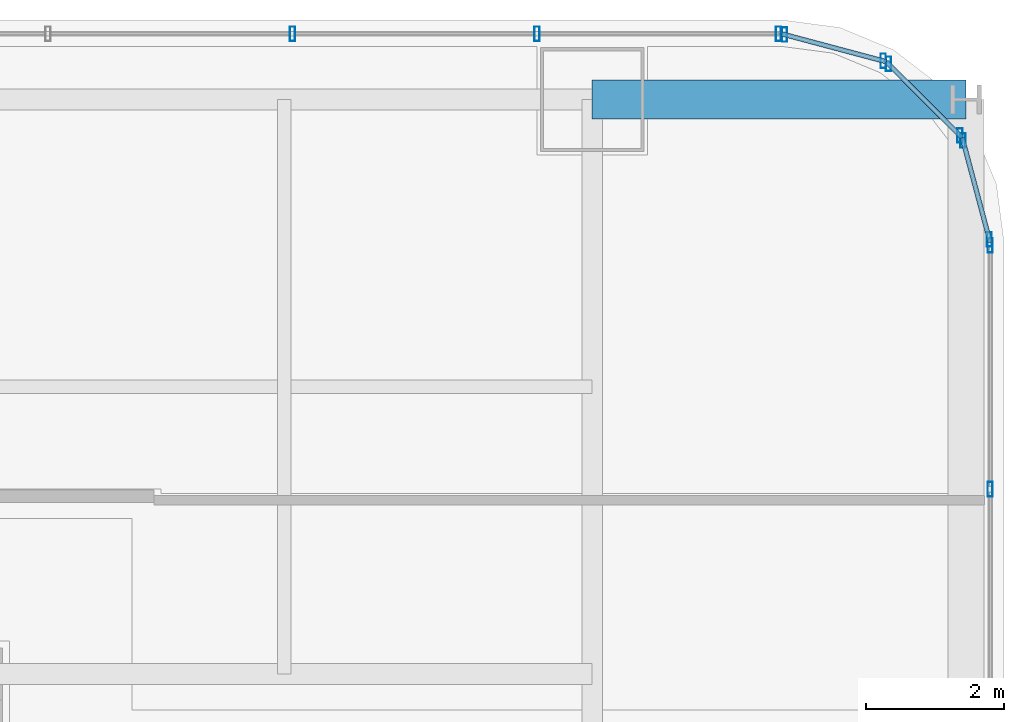
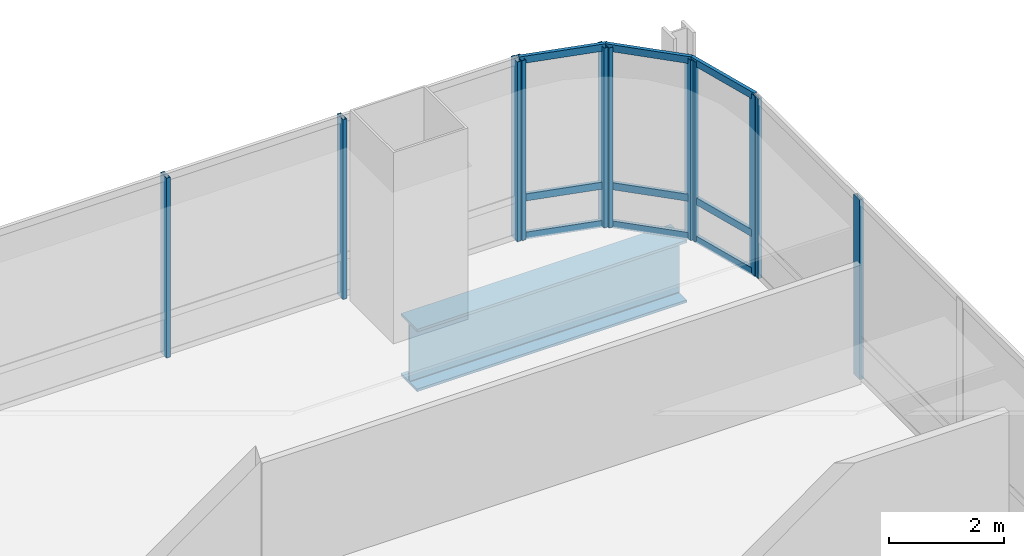
# One storey, part 24 of 35: 20 members, 1 beam, 5 elements without a shape of their own.
"""IFC4 building model written with IfcOpenShell, lengths in metres."""

from ifc_helpers import new_model, si_unit, direction, frame, origin, origin_2d, place, context, subcontext, project, spatial, hollow_rectangle, i_section, extrude, material, material_profile, profile_set, type_object, element, aggregate, save


model = new_model("IFC4")

# Units and contexts
model_context = context("Model", 3, precision=1e-05, world=origin(), true_north=direction((0.0, 1.0)))
body_context = subcontext(model_context, "Body", "Model", "MODEL_VIEW")
ifc_project = project(units=[si_unit("LENGTHUNIT", "METRE"), si_unit("AREAUNIT", "SQUARE_METRE"), si_unit("VOLUMEUNIT", "CUBIC_METRE"), si_unit("PLANEANGLEUNIT", "RADIAN"), si_unit("MASSUNIT", "GRAM", prefix="KILO")], contexts=[model_context])

# Site, building, storey
site_placement = place(None, origin())
site = spatial("IfcSite", under=ifc_project, at=site_placement, CompositionType="ELEMENT")
building_placement = place(site_placement, origin())
building = spatial("IfcBuilding", under=site, at=building_placement, Name="Punatoya Terracotta Tower", CompositionType="ELEMENT")
storey_placement = place(building_placement, frame((0.0, 0.0, 72.75)))
storey = spatial("IfcBuildingStorey", under=building, at=storey_placement, Name="L16", CompositionType="ELEMENT", Elevation=72.75)

# Beam
ifc_material_1 = material(Name="Steel S460", Category="steel")
ifc_material_profile_1 = material_profile(ifc_material_1, i_section(OverallWidth=0.56005859375, OverallDepth=1.320068359375, WebThickness=0.035888671875, FlangeThickness=0.054931640625, FilletRadius=0.01806640625, at=origin_2d()))
ifc_profile_set_1 = profile_set([ifc_material_profile_1], Name="Steel S460")
beam_type = type_object("IfcBeamType", Name="BM-TG-BLK", PredefinedType="BEAM", material=ifc_profile_set_1)
beam_placement = place(storey_placement, frame((19.10009765625, 17.5, -0.89990234375), z_axis=(1.0, 0.0, 0.0), x_axis=(0.0, 1.0, 0.0)))
element("IfcBeam", 1, at=beam_placement, inside=storey, type_object=beam_type, Name="BM-L16-CANT-E4", PredefinedType="BEAM", context=body_context, shape_type="SweptSolid", body=[
    extrude(i_section(OverallWidth=0.56005859375, OverallDepth=1.320068359375, WebThickness=0.035888671875, FlangeThickness=0.054931640625, FilletRadius=0.01806640625, at=origin_2d()), origin(), (0.0, 0.0, 1.0), 5.39990234375),
])

# Curtain wall, members
ifc_material_2 = material(Name="Aluminium 6063-T6 + Double Low-E Glass", Category="aluminium")
curtain_wall_type = type_object("IfcCurtainWallType", Name="CW-M1", PredefinedType="NOTDEFINED", material=ifc_material_2)
curtain_wall_1_placement = place(storey_placement, origin())
curtain_wall_1 = element("IfcCurtainWall", 2, at=curtain_wall_1_placement, inside=storey, type_object=curtain_wall_type, Name="L16 Curtain Wall CW-L16-E05-1", PredefinedType="NOTDEFINED")
ifc_material_3 = material(Name="Aluminium 6063-T6", Category="aluminium")
ifc_material_profile_2 = material_profile(ifc_material_3, hollow_rectangle(XDim=0.074951171875, YDim=0.2099609375, WallThickness=0.00439453125, at=origin_2d()))
ifc_profile_set_2 = profile_set([ifc_material_profile_2], Name="Aluminium 6063-T6")
member_type_1 = type_object("IfcMemberType", Name="CW-MUL-M1", PredefinedType="MULLION", material=ifc_profile_set_2)
member_1_placement = place(storey_placement, frame((24.85009765625, 11.869384765625, 0.0), z_axis=(0.0, 0.0, 1.0), x_axis=(1.0, 0.0, 0.0)))
member_1 = element("IfcMember", 3, at=member_1_placement, type_object=member_type_1, Name="CW-L16-E05-1 Mullion 09", PredefinedType="MULLION", context=body_context, shape_type="SweptSolid", body=[
    extrude(hollow_rectangle(XDim=0.074951171875, YDim=0.2099609375, WallThickness=0.00439453125, at=origin_2d()), origin(), (0.0, 0.0, 1.0), 3.81005859375),
])
member_2_placement = place(storey_placement, frame((24.85009765625, 15.391845703125, 0.0), z_axis=(0.0, 0.0, 1.0), x_axis=(1.0, 0.0, 0.0)))
member_2 = element("IfcMember", 4, at=member_2_placement, type_object=member_type_1, Name="CW-L16-E05-1 Mullion 10", PredefinedType="MULLION", context=body_context, shape_type="SweptSolid", body=[
    extrude(hollow_rectangle(XDim=0.074951171875, YDim=0.2099609375, WallThickness=0.00439453125, at=origin_2d()), origin(), (0.0, 0.0, 1.0), 3.81005859375),
])
aggregate(curtain_wall_1, [member_1, member_2])

curtain_wall_2_placement = place(storey_placement, origin())
curtain_wall_2 = element("IfcCurtainWall", 5, at=curtain_wall_2_placement, inside=storey, type_object=curtain_wall_type, Name="L16 Curtain Wall CW-L16-CRN06", PredefinedType="NOTDEFINED")
member_3_placement = place(storey_placement, frame((24.83837890625, 15.48046875, 0.0), z_axis=(0.0, 0.0, 1.0), x_axis=(1.0, 0.0, 0.0)))
member_3 = element("IfcMember", 6, at=member_3_placement, type_object=member_type_1, Name="CW-L16-CRN06 Mullion 00", PredefinedType="MULLION", context=body_context, shape_type="SweptSolid", body=[
    extrude(hollow_rectangle(XDim=0.074951171875, YDim=0.2099609375, WallThickness=0.00439453125, at=origin_2d()), origin(), (0.0, 0.0, 1.0), 3.81005859375),
])
member_4_placement = place(storey_placement, frame((24.458251953125, 16.905517578125, 0.0), z_axis=(0.0, 0.0, 1.0), x_axis=(1.0, 0.0, 0.0)))
member_4 = element("IfcMember", 7, at=member_4_placement, type_object=member_type_1, Name="CW-L16-CRN06 Mullion 01", PredefinedType="MULLION", context=body_context, shape_type="SweptSolid", body=[
    extrude(hollow_rectangle(XDim=0.074951171875, YDim=0.2099609375, WallThickness=0.00439453125, at=origin_2d()), origin(), (0.0, 0.0, 1.0), 3.81005859375),
])

curtain_wall_3_placement = place(storey_placement, origin())
curtain_wall_3 = element("IfcCurtainWall", 8, at=curtain_wall_3_placement, inside=storey, type_object=curtain_wall_type, Name="L16 Curtain Wall CW-L16-CRN07", PredefinedType="NOTDEFINED")
member_5_placement = place(storey_placement, frame((24.414794921875, 16.98095703125, 0.0), z_axis=(0.0, 0.0, 1.0), x_axis=(1.0, 0.0, 0.0)))
member_5 = element("IfcMember", 9, at=member_5_placement, type_object=member_type_1, Name="CW-L16-CRN07 Mullion 00", PredefinedType="MULLION", context=body_context, shape_type="SweptSolid", body=[
    extrude(hollow_rectangle(XDim=0.074951171875, YDim=0.2099609375, WallThickness=0.00439453125, at=origin_2d()), origin(), (0.0, 0.0, 1.0), 3.81005859375),
])
member_6_placement = place(storey_placement, frame((23.380859375, 18.014892578125, 0.0), z_axis=(0.0, 0.0, 1.0), x_axis=(1.0, 0.0, 0.0)))
member_6 = element("IfcMember", 10, at=member_6_placement, type_object=member_type_1, Name="CW-L16-CRN07 Mullion 01", PredefinedType="MULLION", context=body_context, shape_type="SweptSolid", body=[
    extrude(hollow_rectangle(XDim=0.074951171875, YDim=0.2099609375, WallThickness=0.00439453125, at=origin_2d()), origin(), (0.0, 0.0, 1.0), 3.81005859375),
])

curtain_wall_4_placement = place(storey_placement, origin())
curtain_wall_4 = element("IfcCurtainWall", 11, at=curtain_wall_4_placement, inside=storey, type_object=curtain_wall_type, Name="L16 Curtain Wall CW-L16-CRN08", PredefinedType="NOTDEFINED")
member_7_placement = place(storey_placement, frame((23.3056640625, 18.05810546875, 0.0), z_axis=(0.0, 0.0, 1.0), x_axis=(1.0, 0.0, 0.0)))
member_7 = element("IfcMember", 12, at=member_7_placement, type_object=member_type_1, Name="CW-L16-CRN08 Mullion 00", PredefinedType="MULLION", context=body_context, shape_type="SweptSolid", body=[
    extrude(hollow_rectangle(XDim=0.074951171875, YDim=0.2099609375, WallThickness=0.00439453125, at=origin_2d()), origin(), (0.0, 0.0, 1.0), 3.81005859375),
])
member_8_placement = place(storey_placement, frame((21.88037109375, 18.4384765625, 0.0), z_axis=(0.0, 0.0, 1.0), x_axis=(1.0, 0.0, 0.0)))
member_8 = element("IfcMember", 13, at=member_8_placement, type_object=member_type_1, Name="CW-L16-CRN08 Mullion 01", PredefinedType="MULLION", context=body_context, shape_type="SweptSolid", body=[
    extrude(hollow_rectangle(XDim=0.074951171875, YDim=0.2099609375, WallThickness=0.00439453125, at=origin_2d()), origin(), (0.0, 0.0, 1.0), 3.81005859375),
])

curtain_wall_5_placement = place(storey_placement, origin())
curtain_wall_5 = element("IfcCurtainWall", 14, at=curtain_wall_5_placement, inside=storey, type_object=curtain_wall_type, Name="L16 Curtain Wall CW-L16-N09-1", PredefinedType="NOTDEFINED")
member_9_placement = place(storey_placement, frame((21.7919921875, 18.449951171875, 0.0), z_axis=(0.0, 0.0, 1.0), x_axis=(1.0, 0.0, 0.0)))
member_9 = element("IfcMember", 15, at=member_9_placement, type_object=member_type_1, Name="CW-L16-N09-1 Mullion 00", PredefinedType="MULLION", context=body_context, shape_type="SweptSolid", body=[
    extrude(hollow_rectangle(XDim=0.074951171875, YDim=0.2099609375, WallThickness=0.00439453125, at=origin_2d()), origin(), (0.0, 0.0, 1.0), 3.81005859375),
])
member_10_placement = place(storey_placement, frame((18.302978515625, 18.449951171875, 0.0), z_axis=(0.0, 0.0, 1.0), x_axis=(1.0, 0.0, 0.0)))
member_10 = element("IfcMember", 16, at=member_10_placement, type_object=member_type_1, Name="CW-L16-N09-1 Mullion 01", PredefinedType="MULLION", context=body_context, shape_type="SweptSolid", body=[
    extrude(hollow_rectangle(XDim=0.074951171875, YDim=0.2099609375, WallThickness=0.00439453125, at=origin_2d()), origin(), (0.0, 0.0, 1.0), 3.81005859375),
])
member_11_placement = place(storey_placement, frame((14.768798828125, 18.449951171875, 0.0), z_axis=(0.0, 0.0, 1.0), x_axis=(1.0, 0.0, 0.0)))
member_11 = element("IfcMember", 17, at=member_11_placement, type_object=member_type_1, Name="CW-L16-N09-1 Mullion 02", PredefinedType="MULLION", context=body_context, shape_type="SweptSolid", body=[
    extrude(hollow_rectangle(XDim=0.074951171875, YDim=0.2099609375, WallThickness=0.00439453125, at=origin_2d()), origin(), (0.0, 0.0, 1.0), 3.81005859375),
])
aggregate(curtain_wall_5, [member_9, member_10, member_11])

# Member
ifc_material_profile_3 = material_profile(ifc_material_3, hollow_rectangle(XDim=0.068115234375, YDim=0.14990234375, WallThickness=0.00390625, at=origin_2d()))
ifc_profile_set_3 = profile_set([ifc_material_profile_3], Name="Aluminium 6063-T6")
member_type_2 = type_object("IfcMemberType", Name="CW-TRN-TYP", PredefinedType="USERDEFINED", material=ifc_profile_set_3)
member_12_placement = place(storey_placement, frame((24.85009765625, 15.43701171875, 0.0400390625), z_axis=(-0.257847112249, 0.966185730957, 0.0), x_axis=(-0.966185730957, -0.257847112249, 0.0)))
member_12 = element("IfcMember", 18, at=member_12_placement, type_object=member_type_2, Name="CW-L16-CRN06 Transom 1", ObjectType="TRANSOM", PredefinedType="USERDEFINED", context=body_context, shape_type="SweptSolid", body=[
    extrude(hollow_rectangle(XDim=0.068115234375, YDim=0.14990234375, WallThickness=0.00390625, at=origin_2d()), origin(), (0.0, 0.0, 1.0), 1.565185546875),
])

member_13_placement = place(storey_placement, frame((24.85009765625, 15.43701171875, 0.85009765625), z_axis=(-0.257847112249, 0.966185730957, 0.0), x_axis=(-0.966185730957, -0.257847112249, 0.0)))
member_13 = element("IfcMember", 19, at=member_13_placement, type_object=member_type_2, Name="CW-L16-CRN06 Transom 2", ObjectType="TRANSOM", PredefinedType="USERDEFINED", context=body_context, shape_type="SweptSolid", body=[
    extrude(hollow_rectangle(XDim=0.068115234375, YDim=0.14990234375, WallThickness=0.00390625, at=origin_2d()), origin(), (0.0, 0.0, 1.0), 1.565185546875),
])

member_14_placement = place(storey_placement, frame((24.85009765625, 15.43701171875, 3.77001953125), z_axis=(-0.257847112249, 0.966185730957, 0.0), x_axis=(-0.966185730957, -0.257847112249, 0.0)))
member_14 = element("IfcMember", 20, at=member_14_placement, type_object=member_type_2, Name="CW-L16-CRN06 Transom 3", ObjectType="TRANSOM", PredefinedType="USERDEFINED", context=body_context, shape_type="SweptSolid", body=[
    extrude(hollow_rectangle(XDim=0.068115234375, YDim=0.14990234375, WallThickness=0.00390625, at=origin_2d()), origin(), (0.0, 0.0, 1.0), 1.565185546875),
])

aggregate(curtain_wall_2, [member_3, member_4, member_12, member_13, member_14])

member_15_placement = place(storey_placement, frame((24.446533203125, 16.94921875, 0.0400390625), z_axis=(-0.707106781187, 0.707106781187, 0.0), x_axis=(-0.707106781187, -0.707106781187, 0.0)))
member_15 = element("IfcMember", 21, at=member_15_placement, type_object=member_type_2, Name="CW-L16-CRN07 Transom 1", ObjectType="TRANSOM", PredefinedType="USERDEFINED", context=body_context, shape_type="SweptSolid", body=[
    extrude(hollow_rectangle(XDim=0.068115234375, YDim=0.14990234375, WallThickness=0.00390625, at=origin_2d()), origin(), (0.0, 0.0, 1.0), 1.552001953125),
])

member_16_placement = place(storey_placement, frame((24.446533203125, 16.94921875, 0.85009765625), z_axis=(-0.707106781187, 0.707106781187, 0.0), x_axis=(-0.707106781187, -0.707106781187, 0.0)))
member_16 = element("IfcMember", 22, at=member_16_placement, type_object=member_type_2, Name="CW-L16-CRN07 Transom 2", ObjectType="TRANSOM", PredefinedType="USERDEFINED", context=body_context, shape_type="SweptSolid", body=[
    extrude(hollow_rectangle(XDim=0.068115234375, YDim=0.14990234375, WallThickness=0.00390625, at=origin_2d()), origin(), (0.0, 0.0, 1.0), 1.552001953125),
])

member_17_placement = place(storey_placement, frame((24.446533203125, 16.94921875, 3.77001953125), z_axis=(-0.707106781187, 0.707106781187, 0.0), x_axis=(-0.707106781187, -0.707106781187, 0.0)))
member_17 = element("IfcMember", 23, at=member_17_placement, type_object=member_type_2, Name="CW-L16-CRN07 Transom 3", ObjectType="TRANSOM", PredefinedType="USERDEFINED", context=body_context, shape_type="SweptSolid", body=[
    extrude(hollow_rectangle(XDim=0.068115234375, YDim=0.14990234375, WallThickness=0.00390625, at=origin_2d()), origin(), (0.0, 0.0, 1.0), 1.552001953125),
])

aggregate(curtain_wall_3, [member_5, member_6, member_15, member_16, member_17])

member_18_placement = place(storey_placement, frame((23.34912109375, 18.046630859375, 0.0400390625), z_axis=(-0.966224582397, 0.257701486942, 0.0), x_axis=(-0.257701486942, -0.966224582397, 0.0)))
member_18 = element("IfcMember", 24, at=member_18_placement, type_object=member_type_2, Name="CW-L16-CRN08 Transom 1", ObjectType="TRANSOM", PredefinedType="USERDEFINED", context=body_context, shape_type="SweptSolid", body=[
    extrude(hollow_rectangle(XDim=0.068115234375, YDim=0.14990234375, WallThickness=0.00390625, at=origin_2d()), origin(), (0.0, 0.0, 1.0), 1.565185546875),
])

member_19_placement = place(storey_placement, frame((23.34912109375, 18.046630859375, 0.85009765625), z_axis=(-0.966224582397, 0.257701486942, 0.0), x_axis=(-0.257701486942, -0.966224582397, 0.0)))
member_19 = element("IfcMember", 25, at=member_19_placement, type_object=member_type_2, Name="CW-L16-CRN08 Transom 2", ObjectType="TRANSOM", PredefinedType="USERDEFINED", context=body_context, shape_type="SweptSolid", body=[
    extrude(hollow_rectangle(XDim=0.068115234375, YDim=0.14990234375, WallThickness=0.00390625, at=origin_2d()), origin(), (0.0, 0.0, 1.0), 1.565185546875),
])

member_20_placement = place(storey_placement, frame((23.34912109375, 18.046630859375, 3.77001953125), z_axis=(-0.966224582397, 0.257701486942, 0.0), x_axis=(-0.257701486942, -0.966224582397, 0.0)))
member_20 = element("IfcMember", 26, at=member_20_placement, type_object=member_type_2, Name="CW-L16-CRN08 Transom 3", ObjectType="TRANSOM", PredefinedType="USERDEFINED", context=body_context, shape_type="SweptSolid", body=[
    extrude(hollow_rectangle(XDim=0.068115234375, YDim=0.14990234375, WallThickness=0.00390625, at=origin_2d()), origin(), (0.0, 0.0, 1.0), 1.565185546875),
])

aggregate(curtain_wall_4, [member_7, member_8, member_18, member_19, member_20])

save(model, "model.ifc")
